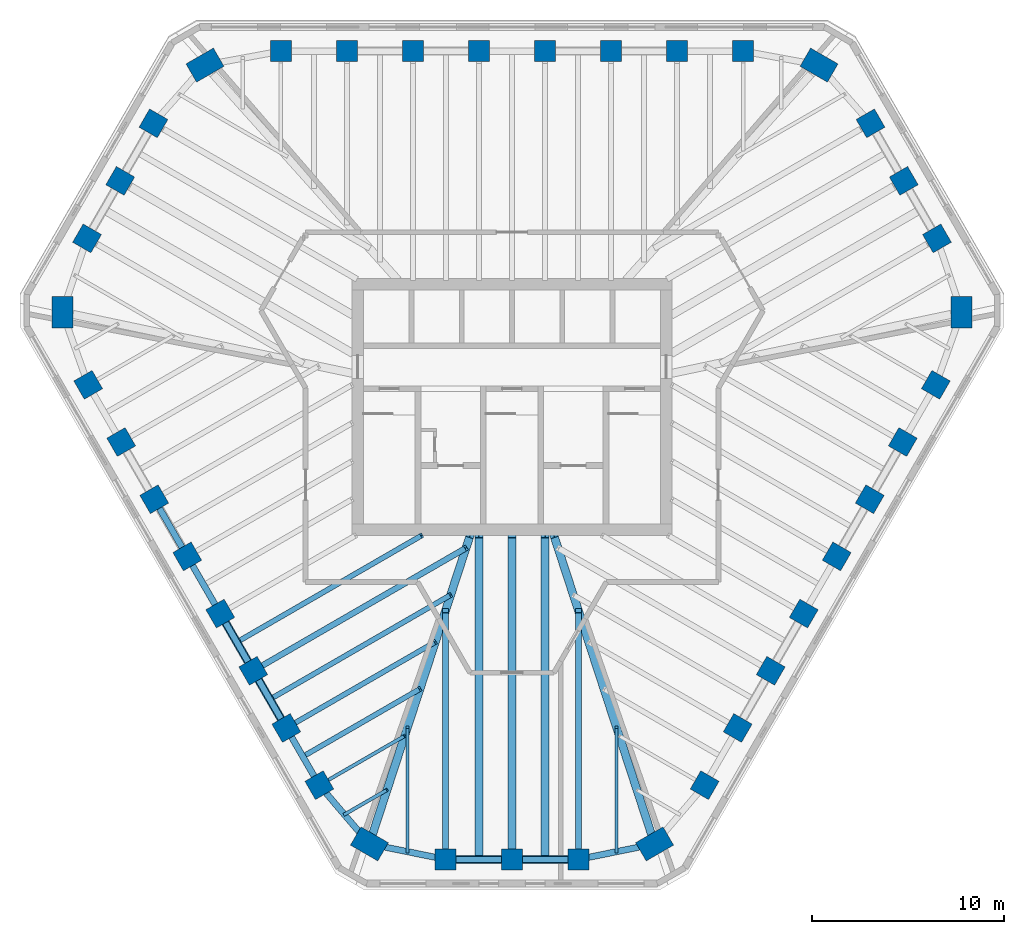
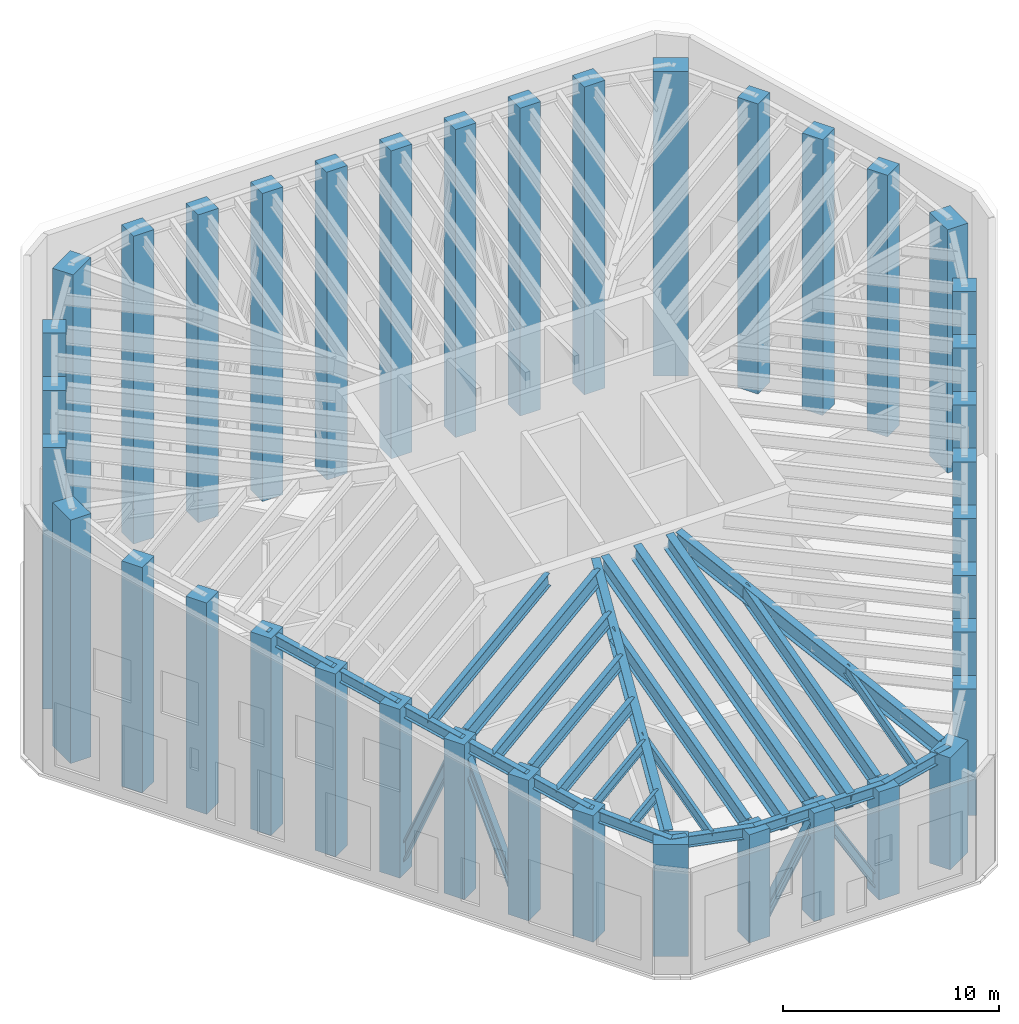
# One storey, part 1 of 9: 39 columns, 26 beams, 4 members.
"""IFC4 building model written with IfcOpenShell, lengths in metres."""

from ifc_helpers import new_model, si_unit, direction, frame, origin, origin_2d, place, context, subcontext, project, spatial, rectangle, i_section, extrude, material, material_profile, profile_set, type_object, element, save


model = new_model("IFC4")

# Units and contexts
model_context = context("Model", 3, precision=1e-05, world=origin(), true_north=direction((0.0, 1.0)))
body_context = subcontext(model_context, "Body", "Model", "MODEL_VIEW")
ifc_project = project(units=[si_unit("LENGTHUNIT", "METRE"), si_unit("AREAUNIT", "SQUARE_METRE"), si_unit("VOLUMEUNIT", "CUBIC_METRE"), si_unit("PLANEANGLEUNIT", "RADIAN"), si_unit("MASSUNIT", "GRAM", prefix="KILO")], contexts=[model_context])

# Site, building, storey
site_placement = place(None, origin())
site = spatial("IfcSite", under=ifc_project, at=site_placement, CompositionType="ELEMENT")
building_placement = place(site_placement, origin())
building = spatial("IfcBuilding", under=site, at=building_placement, Name="Sandreach Pilgrim Tower", CompositionType="ELEMENT")
storey_placement = place(building_placement, frame((0.0, 0.0, 298.800048828125)))
storey = spatial("IfcBuildingStorey", under=building, at=storey_placement, Name="L75", CompositionType="ELEMENT", Elevation=298.800048828125)

# Columns
ifc_material_1 = material(Name="Concrete 10000 psi", Category="concrete")
ifc_material_profile_1 = material_profile(ifc_material_1, rectangle(XDim=1.10009765625, YDim=1.10009765625, at=origin_2d()), Name="RC1100X1100")
ifc_profile_set_1 = profile_set([ifc_material_profile_1], Name="Concrete 10000 psi")
column_type_1 = type_object("IfcColumnType", Name="Tube column RC1100X1100", PredefinedType="COLUMN", material=ifc_profile_set_1)
for number, where, z_axis, x_axis, name in (
    (1, (-12.0576171875, 18.56640625, 0.0), (0.0, 0.0, 1.0), (0.0, 1.0, 0.0), "COL L75 T01"),
    (2, (-8.612548828125, 18.56640625, 0.0), (0.0, 0.0, 1.0), (0.0, 1.0, 0.0), "COL L75 T02"),
    (3, (-5.16748046875, 18.56640625, 0.0), (0.0, 0.0, 1.0), (0.0, 1.0, 0.0), "COL L75 T03"),
    (4, (-1.722412109375, 18.56640625, 0.0), (0.0, 0.0, 1.0), (0.0, 1.0, 0.0), "COL L75 T04"),
    (5, (1.722412109375, 18.56640625, 0.0), (0.0, 0.0, 1.0), (0.0, 1.0, 0.0), "COL L75 T05"),
    (6, (5.16748046875, 18.56640625, 0.0), (0.0, 0.0, 1.0), (0.0, 1.0, 0.0), "COL L75 T06"),
    (7, (8.612548828125, 18.56640625, 0.0), (0.0, 0.0, 1.0), (0.0, 1.0, 0.0), "COL L75 T07"),
    (8, (12.0576171875, 18.56640625, 0.0), (0.0, 0.0, 1.0), (0.0, 1.0, 0.0), "COL L75 T08"),
):
    element("IfcColumn", number, at=place(storey_placement, frame(where, z_axis=z_axis, x_axis=x_axis)), inside=storey, type_object=column_type_1, Name=name, PredefinedType="COLUMN", context=body_context, shape_type="SweptSolid", body=[
        extrude(rectangle(XDim=1.10009765625, YDim=1.10009765625, at=origin_2d()), origin(), (0.0, 0.0, 1.0), 17.415771484375),
    ])
column_1_placement = place(storey_placement, frame((18.70361328125, 14.80029296875, 0.0), z_axis=(0.0, 0.0, 1.0), x_axis=(0.866025403784, 0.5, 0.0)))
element("IfcColumn", 9, at=column_1_placement, inside=storey, type_object=column_type_1, Name="COL L75 T10", PredefinedType="COLUMN", context=body_context, shape_type="SweptSolid", body=[
    extrude(rectangle(XDim=1.10009765625, YDim=1.10009765625, at=origin_2d()), origin(), (0.0, 0.0, 1.0), 16.40673828125),
])
column_2_placement = place(storey_placement, frame((20.4365234375, 11.799072265625, 0.0), z_axis=(0.0, 0.0, 1.0), x_axis=(0.866025403784, 0.5, 0.0)))
element("IfcColumn", 10, at=column_2_placement, inside=storey, type_object=column_type_1, Name="COL L75 T11", PredefinedType="COLUMN", context=body_context, shape_type="SweptSolid", body=[
    extrude(rectangle(XDim=1.10009765625, YDim=1.10009765625, at=origin_2d()), origin(), (0.0, 0.0, 1.0), 15.6025390625),
])
column_3_placement = place(storey_placement, frame((22.169189453125, 8.7978515625, 0.0), z_axis=(0.0, 0.0, 1.0), x_axis=(0.866025403784, 0.5, 0.0)))
element("IfcColumn", 11, at=column_3_placement, inside=storey, type_object=column_type_1, Name="COL L75 T12", PredefinedType="COLUMN", context=body_context, shape_type="SweptSolid", body=[
    extrude(rectangle(XDim=1.10009765625, YDim=1.10009765625, at=origin_2d()), origin(), (0.0, 0.0, 1.0), 14.79833984375),
])
column_4_placement = place(storey_placement, frame((22.10791015625, 1.158935546875, 0.0), z_axis=(0.0, 0.0, 1.0), x_axis=(0.866025403784, -0.5, 0.0)))
element("IfcColumn", 12, at=column_4_placement, inside=storey, type_object=column_type_1, Name="COL L75 T14", PredefinedType="COLUMN", context=body_context, shape_type="SweptSolid", body=[
    extrude(rectangle(XDim=1.10009765625, YDim=1.10009765625, at=origin_2d()), origin(), (0.0, 0.0, 1.0), 12.75146484375),
])
column_5_placement = place(storey_placement, frame((20.38525390625, -1.824462890625, 0.0), z_axis=(0.0, 0.0, 1.0), x_axis=(0.866025403784, -0.5, 0.0)))
element("IfcColumn", 13, at=column_5_placement, inside=storey, type_object=column_type_1, Name="COL L75 T15", PredefinedType="COLUMN", context=body_context, shape_type="SweptSolid", body=[
    extrude(rectangle(XDim=1.10009765625, YDim=1.10009765625, at=origin_2d()), origin(), (0.0, 0.0, 1.0), 11.9521484375),
])
column_6_placement = place(storey_placement, frame((18.662841796875, -4.80810546875, 0.0), z_axis=(0.0, 0.0, 1.0), x_axis=(0.866025403784, -0.5, 0.0)))
element("IfcColumn", 14, at=column_6_placement, inside=storey, type_object=column_type_1, Name="COL L75 T16", PredefinedType="COLUMN", context=body_context, shape_type="SweptSolid", body=[
    extrude(rectangle(XDim=1.10009765625, YDim=1.10009765625, at=origin_2d()), origin(), (0.0, 0.0, 1.0), 11.15283203125),
])
column_7_placement = place(storey_placement, frame((16.940185546875, -7.79150390625, 0.0), z_axis=(0.0, 0.0, 1.0), x_axis=(0.866025403784, -0.5, 0.0)))
element("IfcColumn", 15, at=column_7_placement, inside=storey, type_object=column_type_1, Name="COL L75 T17", PredefinedType="COLUMN", context=body_context, shape_type="SweptSolid", body=[
    extrude(rectangle(XDim=1.10009765625, YDim=1.10009765625, at=origin_2d()), origin(), (0.0, 0.0, 1.0), 10.353271484375),
])
column_8_placement = place(storey_placement, frame((15.2177734375, -10.77490234375, 0.0), z_axis=(0.0, 0.0, 1.0), x_axis=(0.866025403784, -0.5, 0.0)))
element("IfcColumn", 16, at=column_8_placement, inside=storey, type_object=column_type_1, Name="COL L75 T18", PredefinedType="COLUMN", context=body_context, shape_type="SweptSolid", body=[
    extrude(rectangle(XDim=1.10009765625, YDim=1.10009765625, at=origin_2d()), origin(), (0.0, 0.0, 1.0), 9.553955078125),
])
column_9_placement = place(storey_placement, frame((13.4951171875, -13.758544921875, 0.0), z_axis=(0.0, 0.0, 1.0), x_axis=(0.866025403784, -0.5, 0.0)))
element("IfcColumn", 17, at=column_9_placement, inside=storey, type_object=column_type_1, Name="COL L75 T19", PredefinedType="COLUMN", context=body_context, shape_type="SweptSolid", body=[
    extrude(rectangle(XDim=1.10009765625, YDim=1.10009765625, at=origin_2d()), origin(), (0.0, 0.0, 1.0), 8.75439453125),
])
column_10_placement = place(storey_placement, frame((11.772705078125, -16.741943359375, 0.0), z_axis=(0.0, 0.0, 1.0), x_axis=(0.866025403784, -0.5, 0.0)))
element("IfcColumn", 18, at=column_10_placement, inside=storey, type_object=column_type_1, Name="COL L75 T20", PredefinedType="COLUMN", context=body_context, shape_type="SweptSolid", body=[
    extrude(rectangle(XDim=1.10009765625, YDim=1.10009765625, at=origin_2d()), origin(), (0.0, 0.0, 1.0), 7.955078125),
])
column_11_placement = place(storey_placement, frame((10.05029296875, -19.725341796875, 0.0), z_axis=(0.0, 0.0, 1.0), x_axis=(0.866025403784, -0.5, 0.0)))
element("IfcColumn", 19, at=column_11_placement, inside=storey, type_object=column_type_1, Name="COL L75 T21", PredefinedType="COLUMN", context=body_context, shape_type="SweptSolid", body=[
    extrude(rectangle(XDim=1.10009765625, YDim=1.10009765625, at=origin_2d()), origin(), (0.0, 0.0, 1.0), 7.155517578125),
])
for number, where, z_axis, x_axis, name in (
    (20, (3.465576171875, -23.59814453125, 0.0), (0.0, 0.0, 1.0), (0.0, -1.0, 0.0), "COL L75 T23"),
    (21, (0.0, -23.59814453125, 0.0), (0.0, 0.0, 1.0), (0.0, -1.0, 0.0), "COL L75 T24"),
    (22, (-3.465576171875, -23.59814453125, 0.0), (0.0, 0.0, 1.0), (0.0, -1.0, 0.0), "COL L75 T25"),
):
    element("IfcColumn", number, at=place(storey_placement, frame(where, z_axis=z_axis, x_axis=x_axis)), inside=storey, type_object=column_type_1, Name=name, PredefinedType="COLUMN", context=body_context, shape_type="SweptSolid", body=[
        extrude(rectangle(XDim=1.10009765625, YDim=1.10009765625, at=origin_2d()), origin(), (0.0, 0.0, 1.0), 6.117919921875),
    ])
column_12_placement = place(storey_placement, frame((-10.05029296875, -19.725341796875, 0.0), z_axis=(0.0, 0.0, 1.0), x_axis=(-0.866025403784, -0.5, 0.0)))
element("IfcColumn", 23, at=column_12_placement, inside=storey, type_object=column_type_1, Name="COL L75 T27", PredefinedType="COLUMN", context=body_context, shape_type="SweptSolid", body=[
    extrude(rectangle(XDim=1.10009765625, YDim=1.10009765625, at=origin_2d()), origin(), (0.0, 0.0, 1.0), 7.155517578125),
])
column_13_placement = place(storey_placement, frame((-11.772705078125, -16.741943359375, 0.0), z_axis=(0.0, 0.0, 1.0), x_axis=(-0.866025403784, -0.5, 0.0)))
element("IfcColumn", 24, at=column_13_placement, inside=storey, type_object=column_type_1, Name="COL L75 T28", PredefinedType="COLUMN", context=body_context, shape_type="SweptSolid", body=[
    extrude(rectangle(XDim=1.10009765625, YDim=1.10009765625, at=origin_2d()), origin(), (0.0, 0.0, 1.0), 7.955078125),
])
column_14_placement = place(storey_placement, frame((-13.4951171875, -13.758544921875, 0.0), z_axis=(0.0, 0.0, 1.0), x_axis=(-0.866025403784, -0.5, 0.0)))
element("IfcColumn", 25, at=column_14_placement, inside=storey, type_object=column_type_1, Name="COL L75 T29", PredefinedType="COLUMN", context=body_context, shape_type="SweptSolid", body=[
    extrude(rectangle(XDim=1.10009765625, YDim=1.10009765625, at=origin_2d()), origin(), (0.0, 0.0, 1.0), 8.75439453125),
])
column_15_placement = place(storey_placement, frame((-15.2177734375, -10.77490234375, 0.0), z_axis=(0.0, 0.0, 1.0), x_axis=(-0.866025403784, -0.5, 0.0)))
element("IfcColumn", 26, at=column_15_placement, inside=storey, type_object=column_type_1, Name="COL L75 T30", PredefinedType="COLUMN", context=body_context, shape_type="SweptSolid", body=[
    extrude(rectangle(XDim=1.10009765625, YDim=1.10009765625, at=origin_2d()), origin(), (0.0, 0.0, 1.0), 9.553955078125),
])
column_16_placement = place(storey_placement, frame((-16.940185546875, -7.79150390625, 0.0), z_axis=(0.0, 0.0, 1.0), x_axis=(-0.866025403784, -0.5, 0.0)))
element("IfcColumn", 27, at=column_16_placement, inside=storey, type_object=column_type_1, Name="COL L75 T31", PredefinedType="COLUMN", context=body_context, shape_type="SweptSolid", body=[
    extrude(rectangle(XDim=1.10009765625, YDim=1.10009765625, at=origin_2d()), origin(), (0.0, 0.0, 1.0), 10.353271484375),
])
column_17_placement = place(storey_placement, frame((-18.662841796875, -4.80810546875, 0.0), z_axis=(0.0, 0.0, 1.0), x_axis=(-0.866025403784, -0.5, 0.0)))
element("IfcColumn", 28, at=column_17_placement, inside=storey, type_object=column_type_1, Name="COL L75 T32", PredefinedType="COLUMN", context=body_context, shape_type="SweptSolid", body=[
    extrude(rectangle(XDim=1.10009765625, YDim=1.10009765625, at=origin_2d()), origin(), (0.0, 0.0, 1.0), 11.15283203125),
])
column_18_placement = place(storey_placement, frame((-20.38525390625, -1.824462890625, 0.0), z_axis=(0.0, 0.0, 1.0), x_axis=(-0.866025403784, -0.5, 0.0)))
element("IfcColumn", 29, at=column_18_placement, inside=storey, type_object=column_type_1, Name="COL L75 T33", PredefinedType="COLUMN", context=body_context, shape_type="SweptSolid", body=[
    extrude(rectangle(XDim=1.10009765625, YDim=1.10009765625, at=origin_2d()), origin(), (0.0, 0.0, 1.0), 11.9521484375),
])
column_19_placement = place(storey_placement, frame((-22.10791015625, 1.158935546875, 0.0), z_axis=(0.0, 0.0, 1.0), x_axis=(-0.866025403784, -0.5, 0.0)))
element("IfcColumn", 30, at=column_19_placement, inside=storey, type_object=column_type_1, Name="COL L75 T34", PredefinedType="COLUMN", context=body_context, shape_type="SweptSolid", body=[
    extrude(rectangle(XDim=1.10009765625, YDim=1.10009765625, at=origin_2d()), origin(), (0.0, 0.0, 1.0), 12.75146484375),
])
column_20_placement = place(storey_placement, frame((-22.169189453125, 8.7978515625, 0.0), z_axis=(0.0, 0.0, 1.0), x_axis=(-0.866025403784, 0.5, 0.0)))
element("IfcColumn", 31, at=column_20_placement, inside=storey, type_object=column_type_1, Name="COL L75 T36", PredefinedType="COLUMN", context=body_context, shape_type="SweptSolid", body=[
    extrude(rectangle(XDim=1.10009765625, YDim=1.10009765625, at=origin_2d()), origin(), (0.0, 0.0, 1.0), 14.79833984375),
])
column_21_placement = place(storey_placement, frame((-20.4365234375, 11.799072265625, 0.0), z_axis=(0.0, 0.0, 1.0), x_axis=(-0.866025403784, 0.5, 0.0)))
element("IfcColumn", 32, at=column_21_placement, inside=storey, type_object=column_type_1, Name="COL L75 T37", PredefinedType="COLUMN", context=body_context, shape_type="SweptSolid", body=[
    extrude(rectangle(XDim=1.10009765625, YDim=1.10009765625, at=origin_2d()), origin(), (0.0, 0.0, 1.0), 15.6025390625),
])
column_22_placement = place(storey_placement, frame((-18.70361328125, 14.80029296875, 0.0), z_axis=(0.0, 0.0, 1.0), x_axis=(-0.866025403784, 0.5, 0.0)))
element("IfcColumn", 33, at=column_22_placement, inside=storey, type_object=column_type_1, Name="COL L75 T38", PredefinedType="COLUMN", context=body_context, shape_type="SweptSolid", body=[
    extrude(rectangle(XDim=1.10009765625, YDim=1.10009765625, at=origin_2d()), origin(), (0.0, 0.0, 1.0), 16.40673828125),
])
ifc_material_2 = material(Name="Concrete 10000 psi", Category="concrete")
ifc_material_profile_2 = material_profile(ifc_material_2, rectangle(XDim=1.10009765625, YDim=1.64990234375, at=origin_2d()), Name="RC1100X1650")
ifc_profile_set_2 = profile_set([ifc_material_profile_2], Name="Concrete 10000 psi")
column_type_2 = type_object("IfcColumnType", Name="Tube corner pier RC1100X1650", PredefinedType="COLUMN", material=ifc_profile_set_2)
column_23_placement = place(storey_placement, frame((16.0166015625, 17.837158203125, 0.0), z_axis=(0.0, 0.0, 1.0), x_axis=(0.5, 0.866025403784, 0.0)))
element("IfcColumn", 34, at=column_23_placement, inside=storey, type_object=column_type_2, Name="COL L75 T09", PredefinedType="COLUMN", context=body_context, shape_type="SweptSolid", body=[
    extrude(rectangle(XDim=1.10009765625, YDim=1.64990234375, at=origin_2d()), origin(), (0.0, 0.0, 1.0), 17.220458984375),
])
column_24_placement = place(storey_placement, frame((23.455810546875, 4.952392578125, 0.0), z_axis=(0.0, 0.0, 1.0), x_axis=(1.0, 0.0, 0.0)))
element("IfcColumn", 35, at=column_24_placement, inside=storey, type_object=column_type_2, Name="COL L75 T13", PredefinedType="COLUMN", context=body_context, shape_type="SweptSolid", body=[
    extrude(rectangle(XDim=1.10009765625, YDim=1.64990234375, at=origin_2d()), origin(), (0.0, 0.0, 1.0), 13.76806640625),
])
for number, where, z_axis, x_axis, name in (
    (36, (7.439208984375, -22.78955078125, 0.0), (0.0, 0.0, 1.0), (0.5, -0.866025403784, 0.0), "COL L75 T22"),
    (37, (-7.439208984375, -22.78955078125, 0.0), (0.0, 0.0, 1.0), (-0.5, -0.866025403784, 0.0), "COL L75 T26"),
):
    element("IfcColumn", number, at=place(storey_placement, frame(where, z_axis=z_axis, x_axis=x_axis)), inside=storey, type_object=column_type_2, Name=name, PredefinedType="COLUMN", context=body_context, shape_type="SweptSolid", body=[
        extrude(rectangle(XDim=1.10009765625, YDim=1.64990234375, at=origin_2d()), origin(), (0.0, 0.0, 1.0), 6.334716796875),
    ])
column_25_placement = place(storey_placement, frame((-23.455810546875, 4.952392578125, 0.0), z_axis=(0.0, 0.0, 1.0), x_axis=(-1.0, 0.0, 0.0)))
element("IfcColumn", 38, at=column_25_placement, inside=storey, type_object=column_type_2, Name="COL L75 T35", PredefinedType="COLUMN", context=body_context, shape_type="SweptSolid", body=[
    extrude(rectangle(XDim=1.10009765625, YDim=1.64990234375, at=origin_2d()), origin(), (0.0, 0.0, 1.0), 13.76806640625),
])
column_26_placement = place(storey_placement, frame((-16.0166015625, 17.837158203125, 0.0), z_axis=(0.0, 0.0, 1.0), x_axis=(-0.5, 0.866025403784, 0.0)))
element("IfcColumn", 39, at=column_26_placement, inside=storey, type_object=column_type_2, Name="COL L75 T39", PredefinedType="COLUMN", context=body_context, shape_type="SweptSolid", body=[
    extrude(rectangle(XDim=1.10009765625, YDim=1.64990234375, at=origin_2d()), origin(), (0.0, 0.0, 1.0), 17.220458984375),
])

# Members
ifc_material_3 = material(Name="Steel ASTM A913 Grade 65", Category="steel")
ifc_material_profile_3 = material_profile(ifc_material_3, i_section(OverallWidth=0.424072265625, OverallDepth=0.47509765625, WebThickness=0.0478515625, FlangeThickness=0.0771484375, at=origin_2d()), Name="W14X426")
ifc_profile_set_3 = profile_set([ifc_material_profile_3], Name="Steel ASTM A913 Grade 65")
member_type = type_object("IfcMemberType", Name="Crown brace W14X426", PredefinedType="BRACE", material=ifc_profile_set_3)
for number, where, z_axis, x_axis, name in (
    (40, (3.465576171875, -23.59814453125, 0.0), (-0.509819126418, 0.0, 0.860281615716), (0.0, -1.0, 0.0), "Crown brace S face column 23 to 24"),
    (41, (-3.465576171875, -23.59814453125, 0.0), (0.509819126418, 0.0, 0.860281615716), (0.0, 1.0, 0.0), "Crown brace S face column 25 to 24"),
):
    element("IfcMember", number, at=place(storey_placement, frame(where, z_axis=z_axis, x_axis=x_axis)), inside=storey, type_object=member_type, Name=name, PredefinedType="BRACE", context=body_context, shape_type="SweptSolid", body=[
        extrude(i_section(OverallWidth=0.424072265625, OverallDepth=0.47509765625, WebThickness=0.0478515625, FlangeThickness=0.0771484375, at=origin_2d()), origin(), (0.0, 0.0, 1.0), 6.797607421875),
    ])
member_1_placement = place(storey_placement, frame((-11.772705078125, -16.741943359375, 0.0), z_axis=(-0.188091711387, 0.32579457309, 0.926541636546), x_axis=(-0.866032163869, -0.499988291006, 0.0)))
element("IfcMember", 42, at=member_1_placement, inside=storey, type_object=member_type, Name="Crown brace SW face column 28 to 29", PredefinedType="BRACE", context=body_context, shape_type="SweptSolid", body=[
    extrude(i_section(OverallWidth=0.424072265625, OverallDepth=0.47509765625, WebThickness=0.0478515625, FlangeThickness=0.0771484375, at=origin_2d()), origin(), (0.0, 0.0, 1.0), 9.1572265625),
])
member_2_placement = place(storey_placement, frame((-15.2177734375, -10.77490234375, 0.0), z_axis=(0.188115794738, -0.32581676977, 0.926528941969), x_axis=(0.866019194361, 0.500010754882, 0.0)))
element("IfcMember", 43, at=member_2_placement, inside=storey, type_object=member_type, Name="Crown brace SW face column 30 to 29", PredefinedType="BRACE", context=body_context, shape_type="SweptSolid", body=[
    extrude(i_section(OverallWidth=0.424072265625, OverallDepth=0.47509765625, WebThickness=0.0478515625, FlangeThickness=0.0771484375, at=origin_2d()), origin(), (0.0, 0.0, 1.0), 9.157470703125),
])

# Beams
ifc_material_4 = material(Name="Steel ASTM A992 Grade 50", Category="steel")
ifc_material_profile_4 = material_profile(ifc_material_4, i_section(OverallWidth=0.1787109375, OverallDepth=0.60205078125, WebThickness=0.010986328125, FlangeThickness=0.014892578125, at=origin_2d()), Name="W24X62")
ifc_profile_set_4 = profile_set([ifc_material_profile_4], Name="Steel ASTM A992 Grade 50")
beam_type_1 = type_object("IfcBeamType", Name="Crown roof beam W24X62", PredefinedType="BEAM", material=ifc_profile_set_4)
beam_1_placement = place(storey_placement, frame((-9.573974609375, -19.450439453125, 6.966796875), z_axis=(0.85835464352, 0.495573764141, 0.132792884762), x_axis=(-0.50000187635, 0.866024320471, 0.0)))
element("IfcBeam", 44, at=beam_1_placement, inside=storey, type_object=beam_type_1, Name="BM L75 RF27", PredefinedType="BEAM", context=body_context, shape_type="SweptSolid", body=[
    extrude(i_section(OverallWidth=0.1787109375, OverallDepth=0.60205078125, WebThickness=0.010986328125, FlangeThickness=0.014892578125, at=origin_2d()), origin(), (0.0, 0.0, 1.0), 4.62939453125),
])
for number, where, z_axis, x_axis, name in (
    (45, (5.452392578125, -23.19384765625, 5.955810546875), (0.0, 0.965923076173, 0.258829308458), (-1.0, 0.0, 0.0), "BM L75 RM22"),
    (46, (-5.452392578125, -23.19384765625, 5.955810546875), (0.0, 0.965923076173, 0.258829308458), (-1.0, 0.0, 0.0), "BM L75 RM25"),
):
    element("IfcBeam", number, at=place(storey_placement, frame(where, z_axis=z_axis, x_axis=x_axis)), inside=storey, type_object=beam_type_1, Name=name, PredefinedType="BEAM", context=body_context, shape_type="SweptSolid", body=[
        extrude(i_section(OverallWidth=0.1787109375, OverallDepth=0.60205078125, WebThickness=0.010986328125, FlangeThickness=0.014892578125, at=origin_2d()), origin(), (0.0, 0.0, 1.0), 6.7197265625),
    ])
beam_2_placement = place(storey_placement, frame((-8.74462890625, -21.25732421875, 6.482666015625), z_axis=(0.858369711976, 0.495542966609, 0.132810413024), x_axis=(-0.49997198835, 0.866041575714, 0.0)))
element("IfcBeam", 47, at=beam_2_placement, inside=storey, type_object=beam_type_1, Name="BM L75 RM26", PredefinedType="BEAM", context=body_context, shape_type="SweptSolid", body=[
    extrude(i_section(OverallWidth=0.1787109375, OverallDepth=0.60205078125, WebThickness=0.010986328125, FlangeThickness=0.014892578125, at=origin_2d()), origin(), (0.0, 0.0, 1.0), 2.592041015625),
])
ifc_material_5 = material(Name="Steel ASTM A992 Grade 50", Category="steel")
ifc_material_profile_5 = material_profile(ifc_material_5, i_section(OverallWidth=0.2666015625, OverallDepth=0.761962890625, WebThickness=0.014404296875, FlangeThickness=0.021484375, at=origin_2d()), Name="W30X116")
ifc_profile_set_5 = profile_set([ifc_material_profile_5], Name="Steel ASTM A992 Grade 50")
beam_type_2 = type_object("IfcBeamType", Name="Crown roof beam W30X116", PredefinedType="BEAM", material=ifc_profile_set_5)
beam_3_placement = place(storey_placement, frame((-11.29638671875, -16.466796875, 7.685546875), z_axis=(0.858358380166, 0.495570202154, 0.132782024143), x_axis=(-0.499997548519, 0.866026819143, 0.0)))
element("IfcBeam", 48, at=beam_3_placement, inside=storey, type_object=beam_type_2, Name="BM L75 RF28", PredefinedType="BEAM", context=body_context, shape_type="SweptSolid", body=[
    extrude(i_section(OverallWidth=0.2666015625, OverallDepth=0.761962890625, WebThickness=0.014404296875, FlangeThickness=0.021484375, at=origin_2d()), origin(), (0.0, 0.0, 1.0), 8.5),
])
beam_4_placement = place(storey_placement, frame((-10.911376953125, -18.233642578125, 7.212158203125), z_axis=(0.858352433424, 0.495581853216, 0.132776981432), x_axis=(-0.50000896287, 0.866020229007, 0.0)))
element("IfcBeam", 49, at=beam_4_placement, inside=storey, type_object=beam_type_2, Name="BM L75 RM27", PredefinedType="BEAM", context=body_context, shape_type="SweptSolid", body=[
    extrude(i_section(OverallWidth=0.2666015625, OverallDepth=0.761962890625, WebThickness=0.014404296875, FlangeThickness=0.021484375, at=origin_2d()), origin(), (0.0, 0.0, 1.0), 7.11962890625),
])
ifc_material_6 = material(Name="Steel ASTM A992 Grade 50", Category="steel")
ifc_material_profile_6 = material_profile(ifc_material_6, i_section(OverallWidth=0.2666015625, OverallDepth=0.77978515625, WebThickness=0.0166015625, FlangeThickness=0.030029296875, at=origin_2d()), Name="W30X148")
ifc_profile_set_6 = profile_set([ifc_material_profile_6], Name="Steel ASTM A992 Grade 50")
beam_type_3 = type_object("IfcBeamType", Name="Crown roof beam W30X148", PredefinedType="BEAM", material=ifc_profile_set_6)
beam_5_placement = place(storey_placement, frame((-12.634033203125, -15.250244140625, 8.00244140625), z_axis=(0.858349967966, 0.495582096357, 0.132792011296), x_axis=(-0.500010223979, 0.866019500887, 0.0)))
element("IfcBeam", 50, at=beam_5_placement, inside=storey, type_object=beam_type_3, Name="BM L75 RM28", PredefinedType="BEAM", context=body_context, shape_type="SweptSolid", body=[
    extrude(i_section(OverallWidth=0.2666015625, OverallDepth=0.77978515625, WebThickness=0.0166015625, FlangeThickness=0.030029296875, at=origin_2d()), origin(), (0.0, 0.0, 1.0), 10.99072265625),
])
beam_6_placement = place(storey_placement, frame((-14.3564453125, -12.2666015625, 8.802001953125), z_axis=(0.858360440851, 0.495568237709, 0.132776034567), x_axis=(-0.499995161746, 0.866028197134, 0.0)))
element("IfcBeam", 51, at=beam_6_placement, inside=storey, type_object=beam_type_3, Name="BM L75 RM29", PredefinedType="BEAM", context=body_context, shape_type="SweptSolid", body=[
    extrude(i_section(OverallWidth=0.2666015625, OverallDepth=0.77978515625, WebThickness=0.0166015625, FlangeThickness=0.030029296875, at=origin_2d()), origin(), (0.0, 0.0, 1.0), 11.23291015625),
])
ifc_material_7 = material(Name="Steel ASTM A992 Grade 50", Category="steel")
ifc_material_profile_7 = material_profile(ifc_material_7, i_section(OverallWidth=0.3046875, OverallDepth=0.914306640625, WebThickness=0.0166015625, FlangeThickness=0.02587890625, at=origin_2d()), Name="W36X160")
ifc_profile_set_7 = profile_set([ifc_material_profile_7], Name="Steel ASTM A992 Grade 50")
beam_type_4 = type_object("IfcBeamType", Name="Crown roof beam W36X160", PredefinedType="BEAM", material=ifc_profile_set_7)
for number, where, z_axis, x_axis, name in (
    (52, (3.465576171875, -23.048095703125, 5.833251953125), (0.0, 0.965929169321, 0.258806568414), (-1.0, 0.0, 0.0), "BM L75 RF23"),
    (53, (-3.465576171875, -23.048095703125, 5.833251953125), (0.0, 0.965929169321, 0.258806568414), (-1.0, 0.0, 0.0), "BM L75 RF25"),
):
    element("IfcBeam", number, at=place(storey_placement, frame(where, z_axis=z_axis, x_axis=x_axis)), inside=storey, type_object=beam_type_4, Name=name, PredefinedType="BEAM", context=body_context, shape_type="SweptSolid", body=[
        extrude(i_section(OverallWidth=0.3046875, OverallDepth=0.914306640625, WebThickness=0.0166015625, FlangeThickness=0.02587890625, at=origin_2d()), origin(), (0.0, 0.0, 1.0), 12.869873046875),
    ])
beam_7_placement = place(storey_placement, frame((-13.018798828125, -13.4833984375, 8.407958984375), z_axis=(0.85834913421, 0.49558245869, 0.132796048285), x_axis=(-0.500010862412, 0.866019132277, 0.0)))
element("IfcBeam", 54, at=beam_7_placement, inside=storey, type_object=beam_type_4, Name="BM L75 RF29", PredefinedType="BEAM", context=body_context, shape_type="SweptSolid", body=[
    extrude(i_section(OverallWidth=0.3046875, OverallDepth=0.914306640625, WebThickness=0.0166015625, FlangeThickness=0.02587890625, at=origin_2d()), origin(), (0.0, 0.0, 1.0), 12.37109375),
])
ifc_material_8 = material(Name="Steel ASTM A992 Grade 50", Category="steel")
ifc_material_profile_8 = material_profile(ifc_material_8, i_section(OverallWidth=0.419189453125, OverallDepth=0.927001953125, WebThickness=0.019287109375, FlangeThickness=0.031982421875, at=origin_2d()), Name="W36X231")
ifc_profile_set_8 = profile_set([ifc_material_profile_8], Name="Steel ASTM A992 Grade 50")
beam_type_5 = type_object("IfcBeamType", Name="Crown roof beam W36X231", PredefinedType="BEAM", material=ifc_profile_set_8)
beam_8_placement = place(storey_placement, frame((0.0, -23.048095703125, 5.82666015625), z_axis=(0.0, 0.965927318625, 0.258813475565), x_axis=(-1.0, 0.0, 0.0)))
element("IfcBeam", 55, at=beam_8_placement, inside=storey, type_object=beam_type_5, Name="BM L75 RF24", PredefinedType="BEAM", context=body_context, shape_type="SweptSolid", body=[
    extrude(i_section(OverallWidth=0.419189453125, OverallDepth=0.927001953125, WebThickness=0.019287109375, FlangeThickness=0.031982421875, at=origin_2d()), origin(), (0.0, 0.0, 1.0), 16.9248046875),
])
for number, where, z_axis, x_axis, name in (
    (56, (1.732666015625, -23.59814453125, 5.67919921875), (0.0, 0.965926186876, 0.258817699369), (-1.0, 0.0, 0.0), "BM L75 RM23"),
    (57, (-1.732666015625, -23.59814453125, 5.67919921875), (0.0, 0.965926186876, 0.258817699369), (-1.0, 0.0, 0.0), "BM L75 RM24"),
):
    element("IfcBeam", number, at=place(storey_placement, frame(where, z_axis=z_axis, x_axis=x_axis)), inside=storey, type_object=beam_type_5, Name=name, PredefinedType="BEAM", context=body_context, shape_type="SweptSolid", body=[
        extrude(i_section(OverallWidth=0.419189453125, OverallDepth=0.927001953125, WebThickness=0.019287109375, FlangeThickness=0.031982421875, at=origin_2d()), origin(), (0.0, 0.0, 1.0), 17.494384765625),
    ])
ifc_material_9 = material(Name="Steel ASTM A992 Grade 50", Category="steel")
ifc_material_profile_9 = material_profile(ifc_material_9, i_section(OverallWidth=0.32763671875, OverallDepth=0.622314453125, WebThickness=0.015380859375, FlangeThickness=0.0244140625, at=origin_2d()), Name="W24X131")
ifc_profile_set_9 = profile_set([ifc_material_profile_9], Name="Steel ASTM A992 Grade 50")
beam_type_6 = type_object("IfcBeamType", Name="Crown roof edge beam W24X131", PredefinedType="BEAM", material=ifc_profile_set_9)
beam_9_placement = place(storey_placement, frame((7.439208984375, -22.78955078125, 6.064697265625), z_axis=(-0.978520064722, -0.19911885318, -0.053386938896), x_axis=(0.199403222016, -0.979917524616, 0.0)))
element("IfcBeam", 58, at=beam_9_placement, inside=storey, type_object=beam_type_6, Name="BM L75 CR22", PredefinedType="BEAM", context=body_context, shape_type="SweptSolid", body=[
    extrude(i_section(OverallWidth=0.32763671875, OverallDepth=0.622314453125, WebThickness=0.015380859375, FlangeThickness=0.0244140625, at=origin_2d()), origin(), (0.0, 0.0, 1.0), 4.060791015625),
])
for number, where, z_axis, x_axis, name in (
    (59, (3.465576171875, -23.59814453125, 5.847900390625), (-1.0, 0.0, 0.0), (0.0, -1.0, 0.0), "BM L75 CR23"),
    (60, (0.0, -23.59814453125, 5.847900390625), (-1.0, 0.0, 0.0), (0.0, -1.0, 0.0), "BM L75 CR24"),
):
    element("IfcBeam", number, at=place(storey_placement, frame(where, z_axis=z_axis, x_axis=x_axis)), inside=storey, type_object=beam_type_6, Name=name, PredefinedType="BEAM", context=body_context, shape_type="SweptSolid", body=[
        extrude(i_section(OverallWidth=0.32763671875, OverallDepth=0.622314453125, WebThickness=0.015380859375, FlangeThickness=0.0244140625, at=origin_2d()), origin(), (0.0, 0.0, 1.0), 3.465576171875),
    ])
beam_10_placement = place(storey_placement, frame((-3.465576171875, -23.59814453125, 5.847900390625), z_axis=(-0.978520064722, 0.19911885318, 0.053386938896), x_axis=(-0.199403222016, -0.979917524616, 0.0)))
element("IfcBeam", 61, at=beam_10_placement, inside=storey, type_object=beam_type_6, Name="BM L75 CR25", PredefinedType="BEAM", context=body_context, shape_type="SweptSolid", body=[
    extrude(i_section(OverallWidth=0.32763671875, OverallDepth=0.622314453125, WebThickness=0.015380859375, FlangeThickness=0.0244140625, at=origin_2d()), origin(), (0.0, 0.0, 1.0), 4.060791015625),
])
beam_11_placement = place(storey_placement, frame((-7.439208984375, -22.78955078125, 6.064697265625), z_axis=(-0.635504348838, 0.745789161502, 0.199831802257), x_axis=(-0.761141215958, -0.648586192707, 0.0)))
element("IfcBeam", 62, at=beam_11_placement, inside=storey, type_object=beam_type_6, Name="BM L75 CR26", PredefinedType="BEAM", context=body_context, shape_type="SweptSolid", body=[
    extrude(i_section(OverallWidth=0.32763671875, OverallDepth=0.622314453125, WebThickness=0.015380859375, FlangeThickness=0.0244140625, at=origin_2d()), origin(), (0.0, 0.0, 1.0), 4.108642578125),
])
for number, where, z_axis, x_axis, name in (
    (63, (-10.05029296875, -19.725341796875, 6.8857421875), (-0.487049451114, 0.843620736019, 0.226024082629), (-0.866032163869, -0.499988291006, 0.0), "BM L75 CR27"),
    (64, (-11.772705078125, -16.741943359375, 7.68505859375), (-0.487041850302, 0.843607570616, 0.226089590325), (-0.866032163869, -0.499988291006, 0.0), "BM L75 CR28"),
):
    element("IfcBeam", number, at=place(storey_placement, frame(where, z_axis=z_axis, x_axis=x_axis)), inside=storey, type_object=beam_type_6, Name=name, PredefinedType="BEAM", context=body_context, shape_type="SweptSolid", body=[
        extrude(i_section(OverallWidth=0.32763671875, OverallDepth=0.622314453125, WebThickness=0.015380859375, FlangeThickness=0.0244140625, at=origin_2d()), origin(), (0.0, 0.0, 1.0), 3.536376953125),
    ])
beam_12_placement = place(storey_placement, frame((-13.4951171875, -13.758544921875, 8.484619140625), z_axis=(-0.487073742258, 0.843612273828, 0.226003320883), x_axis=(-0.866019194361, -0.500010754882, 0.0)))
element("IfcBeam", 65, at=beam_12_placement, inside=storey, type_object=beam_type_6, Name="BM L75 CR29", PredefinedType="BEAM", context=body_context, shape_type="SweptSolid", body=[
    extrude(i_section(OverallWidth=0.32763671875, OverallDepth=0.622314453125, WebThickness=0.015380859375, FlangeThickness=0.0244140625, at=origin_2d()), origin(), (0.0, 0.0, 1.0), 3.536865234375),
])
beam_13_placement = place(storey_placement, frame((-15.2177734375, -10.77490234375, 9.283935546875), z_axis=(-0.487049451114, 0.843620736019, 0.226024082629), x_axis=(-0.866032163869, -0.499988291006, 0.0)))
element("IfcBeam", 66, at=beam_13_placement, inside=storey, type_object=beam_type_6, Name="BM L75 CR30", PredefinedType="BEAM", context=body_context, shape_type="SweptSolid", body=[
    extrude(i_section(OverallWidth=0.32763671875, OverallDepth=0.622314453125, WebThickness=0.015380859375, FlangeThickness=0.0244140625, at=origin_2d()), origin(), (0.0, 0.0, 1.0), 3.536376953125),
])
beam_14_placement = place(storey_placement, frame((-16.940185546875, -7.79150390625, 10.083251953125), z_axis=(-0.487094506863, 0.843579205479, 0.226081988375), x_axis=(-0.866001476168, -0.500041441558, 0.0)))
element("IfcBeam", 67, at=beam_14_placement, inside=storey, type_object=beam_type_6, Name="BM L75 CR31", PredefinedType="BEAM", context=body_context, shape_type="SweptSolid", body=[
    extrude(i_section(OverallWidth=0.32763671875, OverallDepth=0.622314453125, WebThickness=0.015380859375, FlangeThickness=0.0244140625, at=origin_2d()), origin(), (0.0, 0.0, 1.0), 3.53662109375),
])
ifc_material_10 = material(Name="Steel ASTM A992 Grade 50", Category="steel")
ifc_material_profile_10 = material_profile(ifc_material_10, i_section(OverallWidth=0.419189453125, OverallDepth=0.927001953125, WebThickness=0.019287109375, FlangeThickness=0.031982421875, at=origin_2d()), Name="W36X231")
ifc_profile_set_10 = profile_set([ifc_material_profile_10], Name="Steel ASTM A992 Grade 50")
beam_type_7 = type_object("IfcBeamType", Name="Crown roof girder W36X231", PredefinedType="BEAM", material=ifc_profile_set_10)
for number, where, z_axis, x_axis, name in (
    (68, (7.268310546875, -22.2666015625, 6.03759765625), (-0.300707214277, 0.921221961731, 0.246830444852), (-0.950635887896, -0.310308570047, 0.0), "BM L75 RG22"),
    (69, (-7.268310546875, -22.2666015625, 6.03759765625), (0.300707214277, 0.921221961731, 0.246830444852), (-0.950635887896, 0.310308570047, 0.0), "BM L75 RG26"),
):
    element("IfcBeam", number, at=place(storey_placement, frame(where, z_axis=z_axis, x_axis=x_axis)), inside=storey, type_object=beam_type_7, Name=name, PredefinedType="BEAM", context=body_context, shape_type="SweptSolid", body=[
        extrude(i_section(OverallWidth=0.419189453125, OverallDepth=0.927001953125, WebThickness=0.019287109375, FlangeThickness=0.031982421875, at=origin_2d()), origin(), (0.0, 0.0, 1.0), 16.89794921875),
    ])

save(model, "model.ifc")
